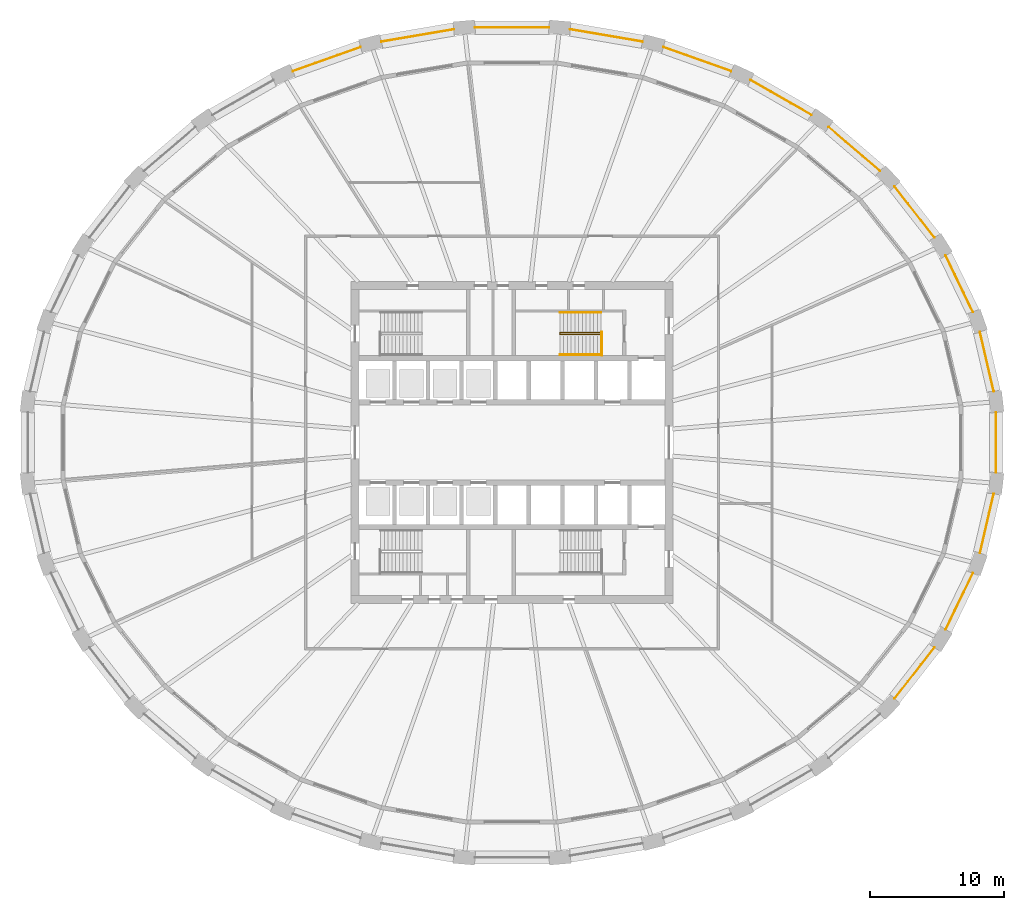
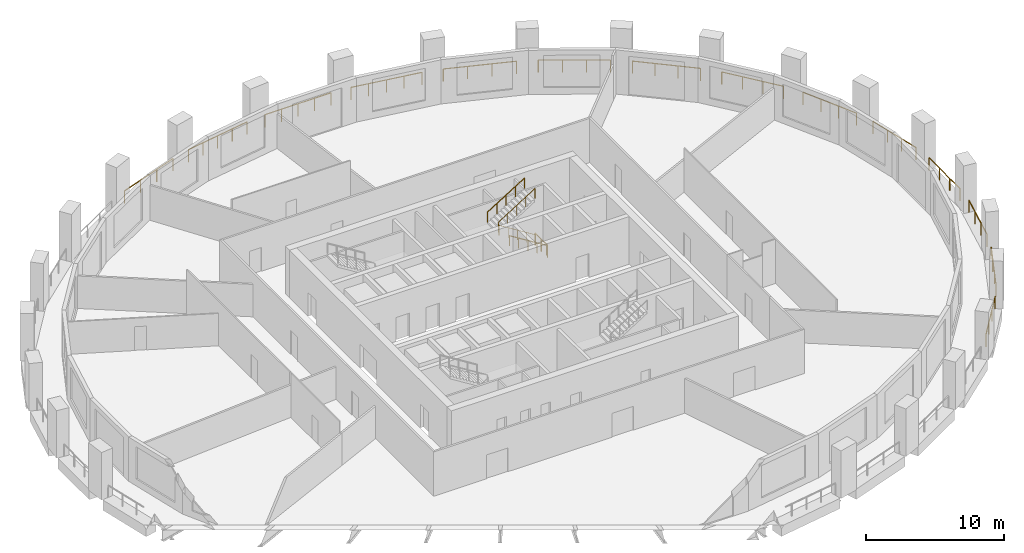
# One storey, part 9 of 10: 18 railings.
"""IFC4 building model written with IfcOpenShell, lengths in metres."""

from ifc_helpers import new_model, si_unit, direction, frame, origin, origin_2d, place, context, subcontext, project, spatial, circle, extrude, material, type_object, element, save


model = new_model("IFC4")

# Units and contexts
model_context = context("Model", 3, precision=1e-05, world=origin(), true_north=direction((0.0, 1.0)))
body_context = subcontext(model_context, "Body", "Model", "MODEL_VIEW")
ifc_project = project(units=[si_unit("LENGTHUNIT", "METRE"), si_unit("AREAUNIT", "SQUARE_METRE"), si_unit("VOLUMEUNIT", "CUBIC_METRE"), si_unit("PLANEANGLEUNIT", "RADIAN"), si_unit("MASSUNIT", "GRAM", prefix="KILO")], contexts=[model_context])

# Site, building, storey
site_placement = place(None, origin())
site = spatial("IfcSite", under=ifc_project, at=site_placement, CompositionType="ELEMENT")
building_placement = place(site_placement, origin())
building = spatial("IfcBuilding", under=site, at=building_placement, Name="Halqa Exchange Tower", CompositionType="ELEMENT")
storey_placement = place(building_placement, frame((0.0, 0.0, 90.699951171875)))
storey = spatial("IfcBuildingStorey", under=building, at=storey_placement, Name="L20", CompositionType="ELEMENT", Elevation=90.699951171875)

# Railings
ifc_material = material(Name="Stainless steel", Category="steel")
railing_type_1 = type_object("IfcRailingType", Name="Guard 1100 stainless steel", PredefinedType="GUARDRAIL", material=ifc_material)
railing_1_placement = place(storey_placement, frame((35.933837890625, 3.828125, 0.0)))
element("IfcRailing", 1, at=railing_1_placement, inside=storey, type_object=railing_type_1, Name="Loggia guard 1", PredefinedType="GUARDRAIL", context=body_context, shape_type="SweptSolid", body=[
    extrude(circle(Radius=0.02392578125, at=origin_2d()), frame((0.0, 0.0, 1.076171875), z_axis=(-0.226049512148, 0.974115813473, 0.0), x_axis=(-0.974115813473, -0.226049512148, 0.0)), (0.0, 0.0, 1.0), 4.539306640625),
    extrude(circle(Radius=0.02099609375, at=origin_2d()), origin(), (0.0, 0.0, 1.0), 1.052001953125),
    extrude(circle(Radius=0.02099609375, at=origin_2d()), frame((-0.342041015625, 1.473876953125, 0.0)), (0.0, 0.0, 1.0), 1.052001953125),
    extrude(circle(Radius=0.02099609375, at=origin_2d()), frame((-0.68408203125, 2.947998046875, 0.0)), (0.0, 0.0, 1.0), 1.052001953125),
    extrude(circle(Radius=0.02099609375, at=origin_2d()), frame((-1.026123046875, 4.421875, 0.0)), (0.0, 0.0, 1.0), 1.052001953125),
])
railing_2_placement = place(storey_placement, frame((34.37890625, 9.749755859375, 0.0)))
element("IfcRailing", 2, at=railing_2_placement, inside=storey, type_object=railing_type_1, Name="Loggia guard 2", PredefinedType="GUARDRAIL", context=body_context, shape_type="SweptSolid", body=[
    extrude(circle(Radius=0.02392578125, at=origin_2d()), frame((0.0, 0.0, 1.076171875), z_axis=(-0.435136078438, 0.900364700131, 0.0), x_axis=(-0.900364700131, -0.435136078438, 0.0)), (0.0, 0.0, 1.0), 4.65673828125),
    extrude(circle(Radius=0.02099609375, at=origin_2d()), origin(), (0.0, 0.0, 1.0), 1.052001953125),
    extrude(circle(Radius=0.02099609375, at=origin_2d()), frame((-0.675537109375, 1.397705078125, 0.0)), (0.0, 0.0, 1.0), 1.052001953125),
    extrude(circle(Radius=0.02099609375, at=origin_2d()), frame((-1.350830078125, 2.795166015625, 0.0)), (0.0, 0.0, 1.0), 1.052001953125),
    extrude(circle(Radius=0.02099609375, at=origin_2d()), frame((-2.0263671875, 4.19287109375, 0.0)), (0.0, 0.0, 1.0), 1.052001953125),
])
railing_3_placement = place(storey_placement, frame((31.5126953125, 15.293701171875, 0.0)))
element("IfcRailing", 3, at=railing_3_placement, inside=storey, type_object=railing_type_1, Name="Loggia guard 3", PredefinedType="GUARDRAIL", context=body_context, shape_type="SweptSolid", body=[
    extrude(circle(Radius=0.02392578125, at=origin_2d()), frame((0.0, 0.0, 1.076171875), z_axis=(-0.614804814525, 0.788679301133, 0.0), x_axis=(-0.788679301133, -0.614804814525, 0.0)), (0.0, 0.0, 1.0), 4.828857421875),
    extrude(circle(Radius=0.02099609375, at=origin_2d()), origin(), (0.0, 0.0, 1.0), 1.052001953125),
    extrude(circle(Radius=0.02099609375, at=origin_2d()), frame((-0.989501953125, 1.26953125, 0.0)), (0.0, 0.0, 1.0), 1.052001953125),
    extrude(circle(Radius=0.02099609375, at=origin_2d()), frame((-1.979248046875, 2.538818359375, 0.0)), (0.0, 0.0, 1.0), 1.052001953125),
    extrude(circle(Radius=0.02099609375, at=origin_2d()), frame((-2.96875, 3.808349609375, 0.0)), (0.0, 0.0, 1.0), 1.052001953125),
])
railing_4_placement = place(storey_placement, frame((27.44482421875, 20.253662109375, 0.0)))
element("IfcRailing", 4, at=railing_4_placement, inside=storey, type_object=railing_type_1, Name="Loggia guard 4", PredefinedType="GUARDRAIL", context=body_context, shape_type="SweptSolid", body=[
    extrude(circle(Radius=0.02392578125, at=origin_2d()), frame((0.0, 0.0, 1.076171875), z_axis=(-0.759263460736, 0.650783371938, 0.0), x_axis=(-0.650783371938, -0.759263460736, 0.0)), (0.0, 0.0, 1.0), 5.025390625),
    extrude(circle(Radius=0.02099609375, at=origin_2d()), origin(), (0.0, 0.0, 1.0), 1.052001953125),
    extrude(circle(Radius=0.02099609375, at=origin_2d()), frame((-1.27197265625, 1.090087890625, 0.0)), (0.0, 0.0, 1.0), 1.052001953125),
    extrude(circle(Radius=0.02099609375, at=origin_2d()), frame((-2.543701171875, 2.180419921875, 0.0)), (0.0, 0.0, 1.0), 1.052001953125),
    extrude(circle(Radius=0.02099609375, at=origin_2d()), frame((-3.815673828125, 3.2705078125, 0.0)), (0.0, 0.0, 1.0), 1.052001953125),
])
railing_5_placement = place(storey_placement, frame((22.32763671875, 24.4423828125, 0.0)))
element("IfcRailing", 5, at=railing_5_placement, inside=storey, type_object=railing_type_1, Name="Loggia guard 5", PredefinedType="GUARDRAIL", context=body_context, shape_type="SweptSolid", body=[
    extrude(circle(Radius=0.02392578125, at=origin_2d()), frame((0.0, 0.0, 1.076171875), z_axis=(-0.867755983437, 0.496990496096, 0.0), x_axis=(-0.496990496096, -0.867755983437, 0.0)), (0.0, 0.0, 1.0), 5.216552734375),
    extrude(circle(Radius=0.02099609375, at=origin_2d()), origin(), (0.0, 0.0, 1.0), 1.052001953125),
    extrude(circle(Radius=0.02099609375, at=origin_2d()), frame((-1.5087890625, 0.8642578125, 0.0)), (0.0, 0.0, 1.0), 1.052001953125),
    extrude(circle(Radius=0.02099609375, at=origin_2d()), frame((-3.017822265625, 1.728271484375, 0.0)), (0.0, 0.0, 1.0), 1.052001953125),
    extrude(circle(Radius=0.02099609375, at=origin_2d()), frame((-4.526611328125, 2.592529296875, 0.0)), (0.0, 0.0, 1.0), 1.052001953125),
])
railing_6_placement = place(storey_placement, frame((16.352783203125, 27.7001953125, 0.0)))
element("IfcRailing", 6, at=railing_6_placement, inside=storey, type_object=railing_type_1, Name="Loggia guard 6", PredefinedType="GUARDRAIL", context=body_context, shape_type="SweptSolid", body=[
    extrude(circle(Radius=0.02392578125, at=origin_2d()), frame((0.0, 0.0, 1.076171875), z_axis=(-0.942372313915, 0.334566020341, 0.0), x_axis=(-0.334566020341, -0.942372313915, 0.0)), (0.0, 0.0, 1.0), 5.37451171875),
    extrude(circle(Radius=0.02099609375, at=origin_2d()), origin(), (0.0, 0.0, 1.0), 1.052001953125),
    extrude(circle(Radius=0.02099609375, at=origin_2d()), frame((-1.688232421875, 0.599365234375, 0.0)), (0.0, 0.0, 1.0), 1.052001953125),
    extrude(circle(Radius=0.02099609375, at=origin_2d()), frame((-3.37646484375, 1.19873046875, 0.0)), (0.0, 0.0, 1.0), 1.052001953125),
    extrude(circle(Radius=0.02099609375, at=origin_2d()), frame((-5.064697265625, 1.798095703125, 0.0)), (0.0, 0.0, 1.0), 1.052001953125),
])
railing_7_placement = place(storey_placement, frame((9.74560546875, 29.900390625, 0.0)))
element("IfcRailing", 7, at=railing_7_placement, inside=storey, type_object=railing_type_1, Name="Loggia guard 7", PredefinedType="GUARDRAIL", context=body_context, shape_type="SweptSolid", body=[
    extrude(circle(Radius=0.02392578125, at=origin_2d()), frame((0.0, 0.0, 1.076171875), z_axis=(-0.985775171727, 0.168069363079, 0.0), x_axis=(-0.168069363079, -0.985775171727, 0.0)), (0.0, 0.0, 1.0), 5.477783203125),
    extrude(circle(Radius=0.02099609375, at=origin_2d()), origin(), (0.0, 0.0, 1.0), 1.052001953125),
    extrude(circle(Radius=0.02099609375, at=origin_2d()), frame((-1.35009765625, 0.230224609375, 0.0)), (0.0, 0.0, 1.0), 1.052001953125),
    extrude(circle(Radius=0.02099609375, at=origin_2d()), frame((-2.699951171875, 0.46044921875, 0.0)), (0.0, 0.0, 1.0), 1.052001953125),
    extrude(circle(Radius=0.02099609375, at=origin_2d()), frame((-4.0498046875, 0.6904296875, 0.0)), (0.0, 0.0, 1.0), 1.052001953125),
    extrude(circle(Radius=0.02099609375, at=origin_2d()), frame((-5.39990234375, 0.920654296875, 0.0)), (0.0, 0.0, 1.0), 1.052001953125),
])
railing_8_placement = place(storey_placement, frame((2.757080078125, 30.95556640625, 0.0)))
element("IfcRailing", 8, at=railing_8_placement, inside=storey, type_object=railing_type_1, Name="Loggia guard 8", PredefinedType="GUARDRAIL", context=body_context, shape_type="SweptSolid", body=[
    extrude(circle(Radius=0.02392578125, at=origin_2d()), frame((0.0, 0.0, 1.076171875), z_axis=(-1.0, 0.0, 0.0), x_axis=(0.0, -1.0, 0.0)), (0.0, 0.0, 1.0), 5.51416015625),
    extrude(circle(Radius=0.02099609375, at=origin_2d()), origin(), (0.0, 0.0, 1.0), 1.052001953125),
    extrude(circle(Radius=0.02099609375, at=origin_2d()), frame((-1.37841796875, 0.0, 0.0)), (0.0, 0.0, 1.0), 1.052001953125),
    extrude(circle(Radius=0.02099609375, at=origin_2d()), frame((-2.757080078125, 0.0, 0.0)), (0.0, 0.0, 1.0), 1.052001953125),
    extrude(circle(Radius=0.02099609375, at=origin_2d()), frame((-4.1357421875, 0.0, 0.0)), (0.0, 0.0, 1.0), 1.052001953125),
    extrude(circle(Radius=0.02099609375, at=origin_2d()), frame((-5.51416015625, 0.0, 0.0)), (0.0, 0.0, 1.0), 1.052001953125),
])
railing_9_placement = place(storey_placement, frame((-4.345703125, 30.821044921875, 0.0)))
element("IfcRailing", 9, at=railing_9_placement, inside=storey, type_object=railing_type_1, Name="Loggia guard 9", PredefinedType="GUARDRAIL", context=body_context, shape_type="SweptSolid", body=[
    extrude(circle(Radius=0.02392578125, at=origin_2d()), frame((0.0, 0.0, 1.076171875), z_axis=(-0.985775171727, -0.168069363079, 0.0), x_axis=(0.168069363079, -0.985775171727, 0.0)), (0.0, 0.0, 1.0), 5.477783203125),
    extrude(circle(Radius=0.02099609375, at=origin_2d()), origin(), (0.0, 0.0, 1.0), 1.052001953125),
    extrude(circle(Radius=0.02099609375, at=origin_2d()), frame((-1.35009765625, -0.230224609375, 0.0)), (0.0, 0.0, 1.0), 1.052001953125),
    extrude(circle(Radius=0.02099609375, at=origin_2d()), frame((-2.699951171875, -0.46044921875, 0.0)), (0.0, 0.0, 1.0), 1.052001953125),
    extrude(circle(Radius=0.02099609375, at=origin_2d()), frame((-4.0498046875, -0.6904296875, 0.0)), (0.0, 0.0, 1.0), 1.052001953125),
    extrude(circle(Radius=0.02099609375, at=origin_2d()), frame((-5.39990234375, -0.920654296875, 0.0)), (0.0, 0.0, 1.0), 1.052001953125),
])
railing_10_placement = place(storey_placement, frame((-11.2880859375, 29.498291015625, 0.0)))
element("IfcRailing", 10, at=railing_10_placement, inside=storey, type_object=railing_type_1, Name="Loggia guard 10", PredefinedType="GUARDRAIL", context=body_context, shape_type="SweptSolid", body=[
    extrude(circle(Radius=0.02392578125, at=origin_2d()), frame((0.0, 0.0, 1.076171875), z_axis=(-0.942372313915, -0.334566020341, 0.0), x_axis=(0.334566020341, -0.942372313915, 0.0)), (0.0, 0.0, 1.0), 5.37451171875),
    extrude(circle(Radius=0.02099609375, at=origin_2d()), origin(), (0.0, 0.0, 1.0), 1.052001953125),
    extrude(circle(Radius=0.02099609375, at=origin_2d()), frame((-1.688232421875, -0.599365234375, 0.0)), (0.0, 0.0, 1.0), 1.052001953125),
    extrude(circle(Radius=0.02099609375, at=origin_2d()), frame((-3.37646484375, -1.19873046875, 0.0)), (0.0, 0.0, 1.0), 1.052001953125),
    extrude(circle(Radius=0.02099609375, at=origin_2d()), frame((-5.064697265625, -1.798095703125, 0.0)), (0.0, 0.0, 1.0), 1.052001953125),
])
railing_11_placement = place(storey_placement, frame((28.5439453125, -19.10205078125, 0.0)))
element("IfcRailing", 11, at=railing_11_placement, inside=storey, type_object=railing_type_1, Name="Loggia guard 29", PredefinedType="GUARDRAIL", context=body_context, shape_type="SweptSolid", body=[
    extrude(circle(Radius=0.02392578125, at=origin_2d()), frame((0.0, 0.0, 1.076171875), z_axis=(0.614804814525, 0.788679301133, 0.0), x_axis=(-0.788679301133, 0.614804814525, 0.0)), (0.0, 0.0, 1.0), 4.828857421875),
    extrude(circle(Radius=0.02099609375, at=origin_2d()), origin(), (0.0, 0.0, 1.0), 1.052001953125),
    extrude(circle(Radius=0.02099609375, at=origin_2d()), frame((0.989501953125, 1.26953125, 0.0)), (0.0, 0.0, 1.0), 1.052001953125),
    extrude(circle(Radius=0.02099609375, at=origin_2d()), frame((1.979248046875, 2.538818359375, 0.0)), (0.0, 0.0, 1.0), 1.052001953125),
    extrude(circle(Radius=0.02099609375, at=origin_2d()), frame((2.96875, 3.808349609375, 0.0)), (0.0, 0.0, 1.0), 1.052001953125),
])
railing_12_placement = place(storey_placement, frame((32.3525390625, -13.942626953125, 0.0)))
element("IfcRailing", 12, at=railing_12_placement, inside=storey, type_object=railing_type_1, Name="Loggia guard 30", PredefinedType="GUARDRAIL", context=body_context, shape_type="SweptSolid", body=[
    extrude(circle(Radius=0.02392578125, at=origin_2d()), frame((0.0, 0.0, 1.076171875), z_axis=(0.435136078438, 0.900364700131, 0.0), x_axis=(-0.900364700131, 0.435136078438, 0.0)), (0.0, 0.0, 1.0), 4.65673828125),
    extrude(circle(Radius=0.02099609375, at=origin_2d()), origin(), (0.0, 0.0, 1.0), 1.052001953125),
    extrude(circle(Radius=0.02099609375, at=origin_2d()), frame((0.675537109375, 1.397705078125, 0.0)), (0.0, 0.0, 1.0), 1.052001953125),
    extrude(circle(Radius=0.02099609375, at=origin_2d()), frame((1.350830078125, 2.795166015625, 0.0)), (0.0, 0.0, 1.0), 1.052001953125),
    extrude(circle(Radius=0.02099609375, at=origin_2d()), frame((2.0263671875, 4.19287109375, 0.0)), (0.0, 0.0, 1.0), 1.052001953125),
])
railing_13_placement = place(storey_placement, frame((34.90771484375, -8.25, 0.0)))
element("IfcRailing", 13, at=railing_13_placement, inside=storey, type_object=railing_type_1, Name="Loggia guard 31", PredefinedType="GUARDRAIL", context=body_context, shape_type="SweptSolid", body=[
    extrude(circle(Radius=0.02392578125, at=origin_2d()), frame((0.0, 0.0, 1.076171875), z_axis=(0.226049512148, 0.974115813473, 0.0), x_axis=(-0.974115813473, 0.226049512148, 0.0)), (0.0, 0.0, 1.0), 4.539306640625),
    extrude(circle(Radius=0.02099609375, at=origin_2d()), origin(), (0.0, 0.0, 1.0), 1.052001953125),
    extrude(circle(Radius=0.02099609375, at=origin_2d()), frame((0.342041015625, 1.473876953125, 0.0)), (0.0, 0.0, 1.0), 1.052001953125),
    extrude(circle(Radius=0.02099609375, at=origin_2d()), frame((0.68408203125, 2.947998046875, 0.0)), (0.0, 0.0, 1.0), 1.052001953125),
    extrude(circle(Radius=0.02099609375, at=origin_2d()), frame((1.026123046875, 4.421875, 0.0)), (0.0, 0.0, 1.0), 1.052001953125),
])
railing_14_placement = place(storey_placement, frame((36.11474609375, -2.248779296875, 0.0)))
element("IfcRailing", 14, at=railing_14_placement, inside=storey, type_object=railing_type_1, Name="Loggia guard 32", PredefinedType="GUARDRAIL", context=body_context, shape_type="SweptSolid", body=[
    extrude(circle(Radius=0.02392578125, at=origin_2d()), frame((0.0, 0.0, 1.076171875), z_axis=(0.0, 1.0, 0.0), x_axis=(-1.0, 0.0, 0.0)), (0.0, 0.0, 1.0), 4.49755859375),
    extrude(circle(Radius=0.02099609375, at=origin_2d()), origin(), (0.0, 0.0, 1.0), 1.052001953125),
    extrude(circle(Radius=0.02099609375, at=origin_2d()), frame((0.0, 1.499267578125, 0.0)), (0.0, 0.0, 1.0), 1.052001953125),
    extrude(circle(Radius=0.02099609375, at=origin_2d()), frame((0.0, 2.998291015625, 0.0)), (0.0, 0.0, 1.0), 1.052001953125),
    extrude(circle(Radius=0.02099609375, at=origin_2d()), frame((0.0, 4.49755859375, 0.0)), (0.0, 0.0, 1.0), 1.052001953125),
])
railing_type_2 = type_object("IfcRailingType", Name="Stair handrail 900", PredefinedType="HANDRAIL", material=ifc_material)
railing_15_placement = place(storey_placement, frame((6.64990234375, 8.06005859375, 0.175048828125)))
element("IfcRailing", 15, at=railing_15_placement, inside=storey, type_object=railing_type_2, Name="Handrail ST2.1", PredefinedType="HANDRAIL", context=body_context, shape_type="SweptSolid", body=[
    extrude(circle(Radius=0.02392578125, at=origin_2d()), frame((0.0, 0.0, 0.8759765625), z_axis=(-0.847979421464, 0.0, 0.530029150871), x_axis=(0.0, -1.0, 0.0)), (0.0, 0.0, 1.0), 3.632080078125),
    extrude(circle(Radius=0.02392578125, at=origin_2d()), frame((-3.079833984375, 0.0, 2.80078125), z_axis=(0.0, 0.595870227118, 0.803080738428), x_axis=(-1.0, 0.0, 0.0)), (0.0, 0.0, 1.0), 0.218017578125),
    extrude(circle(Radius=0.02392578125, at=origin_2d()), frame((-3.079833984375, 0.1298828125, 2.97607421875), z_axis=(0.848009633417, 0.0, 0.529980812513), x_axis=(0.0, 1.0, 0.0)), (0.0, 0.0, 1.0), 3.6318359375),
    extrude(circle(Radius=0.02099609375, at=origin_2d()), origin(), (0.0, 0.0, 1.0), 0.851806640625),
    extrude(circle(Radius=0.02099609375, at=origin_2d()), frame((-0.77001953125, 0.0, 0.481201171875)), (0.0, 0.0, 1.0), 0.851806640625),
    extrude(circle(Radius=0.02099609375, at=origin_2d()), frame((-1.5400390625, 0.0, 0.96240234375)), (0.0, 0.0, 1.0), 0.851806640625),
    extrude(circle(Radius=0.02099609375, at=origin_2d()), frame((-2.309814453125, 0.0, 1.44384765625)), (0.0, 0.0, 1.0), 0.851806640625),
    extrude(circle(Radius=0.02099609375, at=origin_2d()), frame((-3.079833984375, 0.0, 1.925048828125)), (0.0, 0.0, 1.0), 0.851806640625),
    extrude(circle(Radius=0.02099609375, at=origin_2d()), frame((-3.079833984375, 0.1298828125, 2.10009765625)), (0.0, 0.0, 1.0), 0.851806640625),
    extrude(circle(Radius=0.02099609375, at=origin_2d()), frame((-2.309814453125, 0.1298828125, 2.581298828125)), (0.0, 0.0, 1.0), 0.851806640625),
    extrude(circle(Radius=0.02099609375, at=origin_2d()), frame((-1.5400390625, 0.1298828125, 3.0625)), (0.0, 0.0, 1.0), 0.851806640625),
    extrude(circle(Radius=0.02099609375, at=origin_2d()), frame((-0.77001953125, 0.1298828125, 3.543701171875)), (0.0, 0.0, 1.0), 0.851806640625),
    extrude(circle(Radius=0.02099609375, at=origin_2d()), frame((0.0, 0.1298828125, 4.02490234375)), (0.0, 0.0, 1.0), 0.851806640625),
])
railing_16_placement = place(storey_placement, frame((6.64990234375, 6.550048828125, 0.175048828125)))
element("IfcRailing", 16, at=railing_16_placement, inside=storey, type_object=railing_type_2, Name="Handrail ST2.2", PredefinedType="HANDRAIL", context=body_context, shape_type="SweptSolid", body=[
    extrude(circle(Radius=0.02392578125, at=origin_2d()), frame((0.0, 0.0, 0.8759765625), z_axis=(-0.847979421464, 0.0, 0.530029150871), x_axis=(0.0, -1.0, 0.0)), (0.0, 0.0, 1.0), 3.632080078125),
    extrude(circle(Radius=0.02099609375, at=origin_2d()), origin(), (0.0, 0.0, 1.0), 0.851806640625),
    extrude(circle(Radius=0.02099609375, at=origin_2d()), frame((-0.77001953125, 0.0, 0.481201171875)), (0.0, 0.0, 1.0), 0.851806640625),
    extrude(circle(Radius=0.02099609375, at=origin_2d()), frame((-1.5400390625, 0.0, 0.96240234375)), (0.0, 0.0, 1.0), 0.851806640625),
    extrude(circle(Radius=0.02099609375, at=origin_2d()), frame((-2.309814453125, 0.0, 1.44384765625)), (0.0, 0.0, 1.0), 0.851806640625),
    extrude(circle(Radius=0.02099609375, at=origin_2d()), frame((-3.079833984375, 0.0, 1.925048828125)), (0.0, 0.0, 1.0), 0.851806640625),
])
railing_17_placement = place(storey_placement, frame((3.570068359375, 9.699951171875, 2.275146484375)))
element("IfcRailing", 17, at=railing_17_placement, inside=storey, type_object=railing_type_2, Name="Handrail ST2.3", PredefinedType="HANDRAIL", context=body_context, shape_type="SweptSolid", body=[
    extrude(circle(Radius=0.02392578125, at=origin_2d()), frame((0.0, 0.0, 0.8759765625), z_axis=(0.848009633417, 0.0, 0.529980812513), x_axis=(0.0, 1.0, 0.0)), (0.0, 0.0, 1.0), 3.6318359375),
    extrude(circle(Radius=0.02099609375, at=origin_2d()), origin(), (0.0, 0.0, 1.0), 0.851806640625),
    extrude(circle(Radius=0.02099609375, at=origin_2d()), frame((0.77001953125, 0.0, 0.481201171875)), (0.0, 0.0, 1.0), 0.851806640625),
    extrude(circle(Radius=0.02099609375, at=origin_2d()), frame((1.5400390625, 0.0, 0.96240234375)), (0.0, 0.0, 1.0), 0.851806640625),
    extrude(circle(Radius=0.02099609375, at=origin_2d()), frame((2.309814453125, 0.0, 1.443603515625)), (0.0, 0.0, 1.0), 0.851806640625),
    extrude(circle(Radius=0.02099609375, at=origin_2d()), frame((3.079833984375, 0.0, 1.9248046875)), (0.0, 0.0, 1.0), 0.851806640625),
])
railing_type_3 = type_object("IfcRailingType", Name="Stair well guard 1100", PredefinedType="GUARDRAIL", material=ifc_material)
railing_18_placement = place(storey_placement, frame((6.699951171875, 6.5, 0.0)))
element("IfcRailing", 18, at=railing_18_placement, inside=storey, type_object=railing_type_3, Name="Guard ST2 well", PredefinedType="GUARDRAIL", context=body_context, shape_type="SweptSolid", body=[
    extrude(circle(Radius=0.02392578125, at=origin_2d()), frame((0.0, 0.0, 1.076171875), z_axis=(0.0, 1.0, 0.0), x_axis=(-1.0, 0.0, 0.0)), (0.0, 0.0, 1.0), 1.75),
    extrude(circle(Radius=0.02099609375, at=origin_2d()), origin(), (0.0, 0.0, 1.0), 1.052001953125),
    extrude(circle(Radius=0.02099609375, at=origin_2d()), frame((0.0, 0.875, 0.0)), (0.0, 0.0, 1.0), 1.052001953125),
    extrude(circle(Radius=0.02099609375, at=origin_2d()), frame((0.0, 1.75, 0.0)), (0.0, 0.0, 1.0), 1.052001953125),
])

save(model, "model.ifc")
